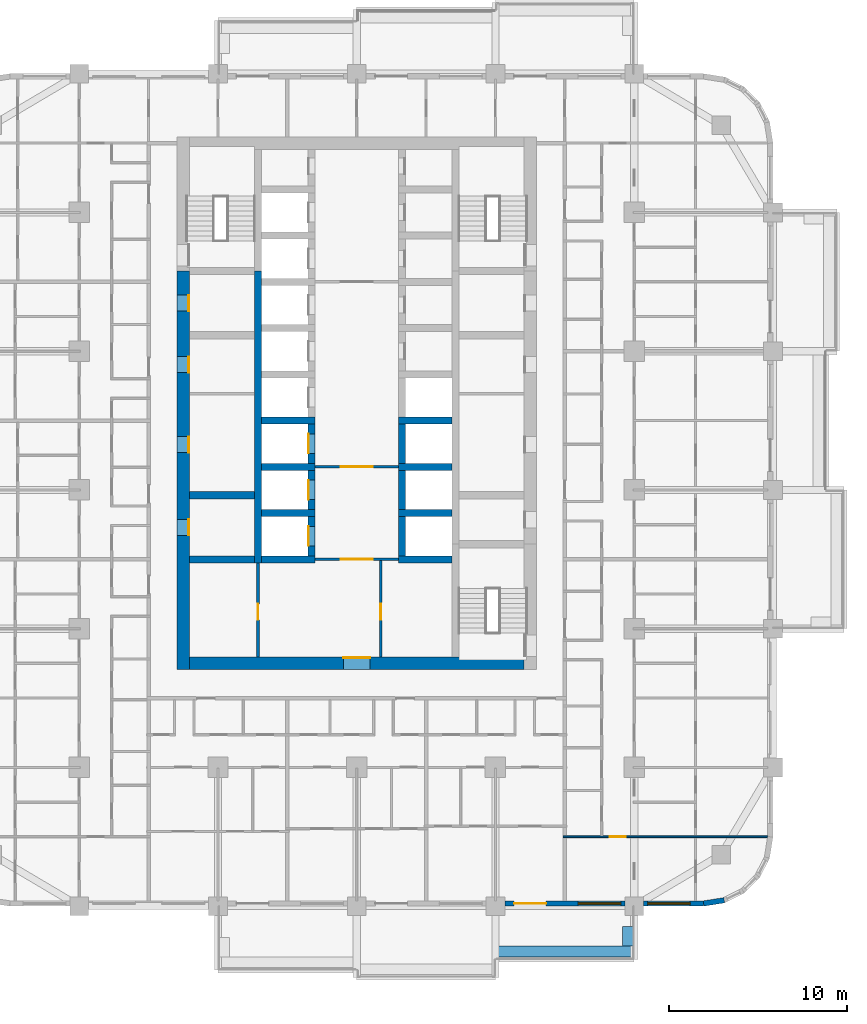
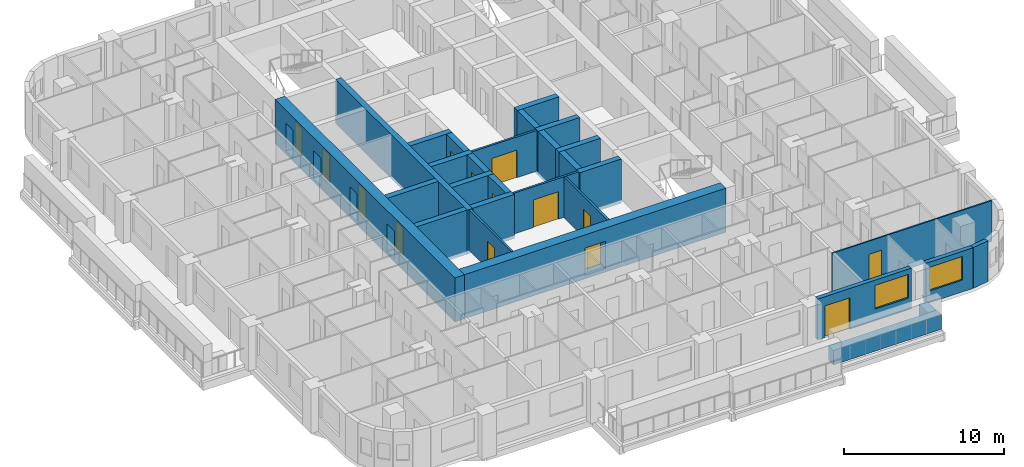
# One storey, part 6 of 17: 29 walls, 14 doors, 2 windows, 16 openings.
"""IFC4 building model written with IfcOpenShell, lengths in metres."""

from ifc_helpers import new_model, si_unit, direction, frame, frame_2d, origin, place, context, subcontext, project, spatial, rectangle, extrude, material, layer, layer_set, type_object, element, fill, save


model = new_model("IFC4")

# Units and contexts
model_context = context("Model", 3, precision=1e-05, world=origin(), true_north=direction((0.0, 1.0)))
body_context = subcontext(model_context, "Body", "Model", "MODEL_VIEW")
ifc_project = project(units=[si_unit("LENGTHUNIT", "METRE"), si_unit("AREAUNIT", "SQUARE_METRE"), si_unit("VOLUMEUNIT", "CUBIC_METRE"), si_unit("PLANEANGLEUNIT", "RADIAN"), si_unit("MASSUNIT", "GRAM", prefix="KILO")], contexts=[model_context])

# Site, building, storey
site_placement = place(None, origin())
site = spatial("IfcSite", under=ifc_project, at=site_placement, CompositionType="ELEMENT")
building_placement = place(site_placement, origin())
building = spatial("IfcBuilding", under=site, at=building_placement, Name="Ludao Terraces", CompositionType="ELEMENT")
storey_placement = place(building_placement, frame((0.0, 0.0, 43.300048828125)))
storey = spatial("IfcBuildingStorey", under=building, at=storey_placement, Name="L11", CompositionType="ELEMENT", Elevation=43.300048828125)

# Wall, openings, doors
ifc_material_1 = material(Name="Concrete C70", Category="concrete")
ifc_layer_1 = layer(ifc_material_1, 0.699951171875)
ifc_layer_set_1 = layer_set([ifc_layer_1], Name="Core wall 700 C70")
wall_type_1 = type_object("IfcWallType", Name="Core wall 700 C70", PredefinedType="SOLIDWALL", material=ifc_layer_set_1)
wall_1_placement = place(storey_placement, frame((75.25, 54.89990234375, -0.25), z_axis=(0.0, 0.0, 1.0), x_axis=(0.0, 1.0, 0.0)))
wall_1 = element("IfcWall", 1, at=wall_1_placement, inside=storey, type_object=wall_type_1, Name="Core wall L11 outer-W", PredefinedType="SOLIDWALL", context=body_context, shape_type="SweptSolid", body=[
    extrude(rectangle(XDim=22.400146484375, YDim=0.699951171875, at=frame_2d((11.2001953125, 0.0))), origin(), (0.0, 0.0, 1.0), 3.349853515625),
])
opening_1_placement = place(wall_1_placement, frame((7.550048828125, 0.0, 0.25)))
opening_1 = element("IfcOpeningElement", 2, at=opening_1_placement, cuts=wall_1, Name="Opening R03-079", PredefinedType="OPENING", context=body_context, shape_type="SweptSolid", body=[
    extrude(rectangle(XDim=0.89990234375, YDim=2.10009765625, at=frame_2d((0.449951171875, 1.050048828125))), frame((0.0, 0.35986328125, 0.0), z_axis=(0.0, -1.0, 0.0), x_axis=(1.0, 0.0, 0.0)), (0.0, 0.0, 1.0), 0.719970703125),
])
opening_2_placement = place(wall_1_placement, frame((12.199951171875, 0.0, 0.25)))
opening_2 = element("IfcOpeningElement", 3, at=opening_2_placement, cuts=wall_1, Name="Opening R03-094", PredefinedType="OPENING", context=body_context, shape_type="SweptSolid", body=[
    extrude(rectangle(XDim=0.89990234375, YDim=2.10009765625, at=frame_2d((0.449951171875, 1.050048828125))), frame((0.0, 0.35986328125, 0.0), z_axis=(0.0, -1.0, 0.0), x_axis=(1.0, 0.0, 0.0)), (0.0, 0.0, 1.0), 0.719970703125),
])
opening_3_placement = place(wall_1_placement, frame((16.699951171875, 0.0, 0.25)))
opening_3 = element("IfcOpeningElement", 4, at=opening_3_placement, cuts=wall_1, Name="Opening R03-109", PredefinedType="OPENING", context=body_context, shape_type="SweptSolid", body=[
    extrude(rectangle(XDim=0.89990234375, YDim=2.10009765625, at=frame_2d((0.449951171875, 1.050048828125))), frame((0.0, 0.35986328125, 0.0), z_axis=(0.0, -1.0, 0.0), x_axis=(1.0, 0.0, 0.0)), (0.0, 0.0, 1.0), 0.719970703125),
])
opening_4_placement = place(wall_1_placement, frame((20.14990234375, 0.0, 0.25)))
opening_4 = element("IfcOpeningElement", 5, at=opening_4_placement, cuts=wall_1, Name="Opening R03-120", PredefinedType="OPENING", context=body_context, shape_type="SweptSolid", body=[
    extrude(rectangle(XDim=0.89990234375, YDim=2.10009765625, at=frame_2d((0.449951171875, 1.050048828125))), frame((0.0, 0.35986328125, 0.0), z_axis=(0.0, -1.0, 0.0), x_axis=(1.0, 0.0, 0.0)), (0.0, 0.0, 1.0), 0.719970703125),
])
ifc_material_2 = material(Name="Steel Q235", Category="steel")
door_type_1 = type_object("IfcDoorType", Name="INT Riser door 900", OperationType="SINGLE_SWING_LEFT", PredefinedType="DOOR", material=ifc_material_2)
door_1_placement = place(opening_1_placement, origin())
door_1 = element("IfcDoor", 6, at=door_1_placement, inside=storey, type_object=door_type_1, Name="DOOR 079", OperationType="SINGLE_SWING_LEFT", OverallHeight=2.10009765625, OverallWidth=0.89990234375, PredefinedType="DOOR", context=body_context, shape_type="SweptSolid", body=[
    extrude(rectangle(XDim=0.89990234375, YDim=2.10009765625, at=frame_2d((0.449951171875, 1.050048828125))), frame((0.0, -0.28515625, 0.0), z_axis=(0.0, -1.0, 0.0), x_axis=(1.0, 0.0, 0.0)), (0.0, 0.0, 1.0), 0.050048828125),
])
fill(opening_1, door_1)
door_2_placement = place(opening_4_placement, origin())
door_2 = element("IfcDoor", 7, at=door_2_placement, inside=storey, type_object=door_type_1, Name="DOOR 120", OperationType="SINGLE_SWING_RIGHT", OverallHeight=2.10009765625, OverallWidth=0.89990234375, PredefinedType="DOOR", context=body_context, shape_type="SweptSolid", body=[
    extrude(rectangle(XDim=0.89990234375, YDim=2.10009765625, at=frame_2d((0.449951171875, 1.050048828125))), frame((0.0, -0.28515625, 0.0), z_axis=(0.0, -1.0, 0.0), x_axis=(1.0, 0.0, 0.0)), (0.0, 0.0, 1.0), 0.050048828125),
])
fill(opening_4, door_2)
ifc_material_3 = material(Name="Timber door leaf", Category="wood")
door_type_2 = type_object("IfcDoorType", Name="INT Room door 900", OperationType="SINGLE_SWING_LEFT", PredefinedType="DOOR", material=ifc_material_3)
door_3_placement = place(opening_2_placement, origin())
door_3 = element("IfcDoor", 8, at=door_3_placement, inside=storey, type_object=door_type_2, Name="DOOR 094", OperationType="SINGLE_SWING_RIGHT", OverallHeight=2.10009765625, OverallWidth=0.89990234375, PredefinedType="DOOR", context=body_context, shape_type="SweptSolid", body=[
    extrude(rectangle(XDim=0.89990234375, YDim=2.10009765625, at=frame_2d((0.449951171875, 1.050048828125))), frame((0.0, -0.28515625, 0.0), z_axis=(0.0, -1.0, 0.0), x_axis=(1.0, 0.0, 0.0)), (0.0, 0.0, 1.0), 0.050048828125),
])
fill(opening_2, door_3)
door_4_placement = place(opening_3_placement, origin())
door_4 = element("IfcDoor", 9, at=door_4_placement, inside=storey, type_object=door_type_2, Name="DOOR 109", OperationType="SINGLE_SWING_LEFT", OverallHeight=2.10009765625, OverallWidth=0.89990234375, PredefinedType="DOOR", context=body_context, shape_type="SweptSolid", body=[
    extrude(rectangle(XDim=0.89990234375, YDim=2.10009765625, at=frame_2d((0.449951171875, 1.050048828125))), frame((0.0, -0.28515625, 0.0), z_axis=(0.0, -1.0, 0.0), x_axis=(1.0, 0.0, 0.0)), (0.0, 0.0, 1.0), 0.050048828125),
])
fill(opening_3, door_4)

# Wall, opening, door
wall_2_placement = place(storey_placement, frame((75.60009765625, 55.25, -0.25), z_axis=(0.0, 0.0, 1.0), x_axis=(1.0, 0.0, 0.0)))
wall_2 = element("IfcWall", 10, at=wall_2_placement, inside=storey, type_object=wall_type_1, Name="Core wall L11 outer-S", PredefinedType="SOLIDWALL", context=body_context, shape_type="SweptSolid", body=[
    extrude(rectangle(XDim=18.7998046875, YDim=0.699951171875, at=frame_2d((9.39990234375, 0.0))), origin(), (0.0, 0.0, 1.0), 3.349853515625),
])
opening_5_placement = place(wall_2_placement, frame((8.64990234375, 0.0, 0.25)))
opening_5 = element("IfcOpeningElement", 11, at=opening_5_placement, cuts=wall_2, Name="Opening R03-054", PredefinedType="OPENING", context=body_context, shape_type="SweptSolid", body=[
    extrude(rectangle(XDim=1.5, YDim=2.10009765625, at=frame_2d((0.75, 1.050048828125))), frame((0.0, 0.35986328125, 0.0), z_axis=(0.0, -1.0, 0.0), x_axis=(1.0, 0.0, 0.0)), (0.0, 0.0, 1.0), 0.719970703125),
])
door_type_3 = type_object("IfcDoorType", Name="INT Lobby door 1500", OperationType="DOUBLE_DOOR_SINGLE_SWING", PredefinedType="DOOR", material=ifc_material_2)
door_5_placement = place(opening_5_placement, origin())
door_5 = element("IfcDoor", 12, at=door_5_placement, inside=storey, type_object=door_type_3, Name="DOOR 054", OperationType="DOUBLE_DOOR_SINGLE_SWING", OverallHeight=2.10009765625, OverallWidth=1.5, PredefinedType="DOOR", context=body_context, shape_type="SweptSolid", body=[
    extrude(rectangle(XDim=1.5, YDim=2.10009765625, at=frame_2d((0.75, 1.050048828125))), frame((0.0, 0.3349609375, 0.0), z_axis=(0.0, -1.0, 0.0), x_axis=(1.0, 0.0, 0.0)), (0.0, 0.0, 1.0), 0.050048828125),
])
fill(opening_5, door_5)

# Walls
ifc_material_4 = material(Name="Concrete C40", Category="concrete")
ifc_layer_2 = layer(ifc_material_4, 0.60009765625)
ifc_layer_set_2 = layer_set([ifc_layer_2], Name="ENV Planter trough 600")
wall_type_2 = type_object("IfcWallType", Name="ENV Planter trough 600", PredefinedType="USERDEFINED", material=ifc_layer_set_2)
wall_3_placement = place(storey_placement, frame((92.800048828125, 39.050048828125, 0.0), z_axis=(0.0, 0.0, 1.0), x_axis=(1.0, 0.0, 0.0)))
element("IfcWall", 13, at=wall_3_placement, inside=storey, type_object=wall_type_2, Name="PL-L11-S4", ObjectType="PLANTER", PredefinedType="USERDEFINED", context=body_context, shape_type="SweptSolid", body=[
    extrude(rectangle(XDim=7.800048828125, YDim=0.60009765625, at=frame_2d((3.89990234375, 0.0))), origin(), (0.0, 0.0, 1.0), 1.099853515625),
])
wall_4_placement = place(storey_placement, frame((100.25, 39.35009765625, 0.0), z_axis=(0.0, 0.0, 1.0), x_axis=(0.0, 1.0, 0.0)))
element("IfcWall", 14, at=wall_4_placement, inside=storey, type_object=wall_type_2, Name="PL-L11-S4-SB", ObjectType="PLANTER", PredefinedType="USERDEFINED", context=body_context, shape_type="SweptSolid", body=[
    extrude(rectangle(XDim=1.099853515625, YDim=0.60009765625, at=frame_2d((0.5498046875, 0.0))), origin(), (0.0, 0.0, 1.0), 1.099853515625),
])

# Wall, openings, door, window
ifc_material_5 = material(Name="Granite cladding", Category="masonry")
ifc_layer_3 = layer(ifc_material_5, 0.0400390625, Category="stone")
ifc_material_6 = material(Name="Mineral wool")
ifc_layer_4 = layer(ifc_material_6, 0.06005859375)
ifc_layer_5 = layer(ifc_material_4, 0.199951171875, Category="concrete")
ifc_layer_set_3 = layer_set([ifc_layer_3, ifc_layer_4, ifc_layer_5], Name="ENV Stone-clad wall 300")
wall_type_3 = type_object("IfcWallType", Name="ENV Stone-clad wall 300", PredefinedType="SOLIDWALL", material=ifc_layer_set_3)
wall_5_placement = place(storey_placement, frame((93.324951171875, 41.75, 0.0), z_axis=(0.0, 0.0, 1.0), x_axis=(1.0, 0.0, 0.0)))
wall_5 = element("IfcWall", 15, at=wall_5_placement, inside=storey, type_object=wall_type_3, Name="EW-L11-S5", PredefinedType="SOLIDWALL", context=body_context, shape_type="SweptSolid", body=[
    extrude(rectangle(XDim=6.75, YDim=0.300048828125, at=frame_2d((3.375, 0.0))), origin(), (0.0, 0.0, 1.0), 3.099853515625),
])
opening_6_placement = place(wall_5_placement, frame((0.52490234375, 0.0, 0.0)))
opening_6 = element("IfcOpeningElement", 16, at=opening_6_placement, cuts=wall_5, Name="Opening BD", PredefinedType="OPENING", context=body_context, shape_type="SweptSolid", body=[
    extrude(rectangle(XDim=1.800048828125, YDim=2.39990234375, at=frame_2d((0.89990234375, 1.199951171875))), frame((0.0, 0.16015625, 0.0), z_axis=(0.0, -1.0, 0.0), x_axis=(1.0, 0.0, 0.0)), (0.0, 0.0, 1.0), 0.320068359375),
])
opening_7_placement = place(wall_5_placement, frame((4.125, 0.0, 0.89990234375)))
opening_7 = element("IfcOpeningElement", 17, at=opening_7_placement, cuts=wall_5, Name="Opening W1", PredefinedType="OPENING", context=body_context, shape_type="SweptSolid", body=[
    extrude(rectangle(XDim=2.39990234375, YDim=1.800048828125, at=frame_2d((1.199951171875, 0.89990234375))), frame((0.0, 0.16015625, 0.0), z_axis=(0.0, -1.0, 0.0), x_axis=(1.0, 0.0, 0.0)), (0.0, 0.0, 1.0), 0.320068359375),
])
ifc_material_7 = material(Name="Aluminium glazed door", Category="aluminium")
ifc_layer_6 = layer(ifc_material_7, 0.06005859375)
ifc_layer_set_4 = layer_set([ifc_layer_6], Name="ENV Balcony door BD 1800x2400")
door_type_4 = type_object("IfcDoorType", Name="ENV Balcony door BD 1800x2400", OperationType="DOUBLE_DOOR_SINGLE_SWING", PredefinedType="DOOR", material=ifc_layer_set_4)
door_6_placement = place(opening_6_placement, origin())
door_6 = element("IfcDoor", 18, at=door_6_placement, inside=storey, type_object=door_type_4, Name="BD-L11-S5-1", OperationType="DOUBLE_DOOR_SINGLE_SWING", OverallHeight=2.39990234375, OverallWidth=1.800048828125, PredefinedType="DOOR", context=body_context, shape_type="SweptSolid", body=[
    extrude(rectangle(XDim=1.800048828125, YDim=2.39990234375, at=frame_2d((0.89990234375, 1.199951171875))), frame((0.0, 0.02490234375, 0.0), z_axis=(0.0, -1.0, 0.0), x_axis=(1.0, 0.0, 0.0)), (0.0, 0.0, 1.0), 0.050048828125),
])
fill(opening_6, door_6)
ifc_material_8 = material(Name="Clear glass in aluminium frame", Category="aluminium")
ifc_layer_7 = layer(ifc_material_8, 0.06005859375)
ifc_layer_set_5 = layer_set([ifc_layer_7], Name="ENV Window W1 2400x1800")
window_type = type_object("IfcWindowType", Name="ENV Window W1 2400x1800", PartitioningType="DOUBLE_PANEL_VERTICAL", PredefinedType="WINDOW", material=ifc_layer_set_5)
window_1_placement = place(opening_7_placement, origin())
window_1 = element("IfcWindow", 19, at=window_1_placement, inside=storey, type_object=window_type, Name="W-L11-S5-2", OverallHeight=1.800048828125, OverallWidth=2.39990234375, PartitioningType="DOUBLE_PANEL_VERTICAL", PredefinedType="WINDOW", context=body_context, shape_type="SweptSolid", body=[
    extrude(rectangle(XDim=2.39990234375, YDim=1.800048828125, at=frame_2d((1.199951171875, 0.89990234375))), frame((0.0, 0.030029296875, 0.0), z_axis=(0.0, -1.0, 0.0), x_axis=(1.0, 0.0, 0.0)), (0.0, 0.0, 1.0), 0.06005859375),
])
fill(opening_7, window_1)

# Wall, opening, window
wall_6_placement = place(storey_placement, frame((101.125, 41.75, 0.0), z_axis=(0.0, 0.0, 1.0), x_axis=(1.0, 0.0, 0.0)))
wall_6 = element("IfcWall", 20, at=wall_6_placement, inside=storey, type_object=wall_type_3, Name="EW-L11-S6", PredefinedType="SOLIDWALL", context=body_context, shape_type="SweptSolid", body=[
    extrude(rectangle(XDim=3.375, YDim=0.300048828125, at=frame_2d((1.6875, 0.0))), origin(), (0.0, 0.0, 1.0), 3.099853515625),
])
opening_8_placement = place(wall_6_placement, frame((0.22509765625, 0.0, 0.89990234375)))
opening_8 = element("IfcOpeningElement", 21, at=opening_8_placement, cuts=wall_6, Name="Opening W1", PredefinedType="OPENING", context=body_context, shape_type="SweptSolid", body=[
    extrude(rectangle(XDim=2.39990234375, YDim=1.800048828125, at=frame_2d((1.199951171875, 0.89990234375))), frame((0.0, 0.16015625, 0.0), z_axis=(0.0, -1.0, 0.0), x_axis=(1.0, 0.0, 0.0)), (0.0, 0.0, 1.0), 0.320068359375),
])
window_2_placement = place(opening_8_placement, origin())
window_2 = element("IfcWindow", 22, at=window_2_placement, inside=storey, type_object=window_type, Name="W-L11-S6-1", OverallHeight=1.800048828125, OverallWidth=2.39990234375, PartitioningType="DOUBLE_PANEL_VERTICAL", PredefinedType="WINDOW", context=body_context, shape_type="SweptSolid", body=[
    extrude(rectangle(XDim=2.39990234375, YDim=1.800048828125, at=frame_2d((1.199951171875, 0.89990234375))), frame((0.0, 0.030029296875, 0.0), z_axis=(0.0, -1.0, 0.0), x_axis=(1.0, 0.0, 0.0)), (0.0, 0.0, 1.0), 0.06005859375),
])
fill(opening_8, window_2)

# Wall
wall_7_placement = place(storey_placement, frame((104.5, 41.75, 0.0), z_axis=(0.0, 0.0, 1.0), x_axis=(0.987678452879, 0.156496880861, 0.0)))
element("IfcWall", 23, at=wall_7_placement, inside=storey, type_object=wall_type_3, Name="EW-L11-SE1", PredefinedType="SOLIDWALL", context=body_context, shape_type="SweptSolid", body=[
    extrude(rectangle(XDim=1.173095703125, YDim=0.300048828125, at=frame_2d((0.58642578125, 0.0))), origin(), (0.0, 0.0, 1.0), 3.099853515625),
])

# Wall, opening, door
ifc_material_9 = material(Name="Fire-rated gypsum plasterboard", Category="gypsum")
ifc_layer_8 = layer(ifc_material_9, 0.012451171875, Category="gypsum")
ifc_layer_9 = layer(ifc_material_6, 0.10009765625, Name="insulation")
ifc_layer_10 = layer(ifc_material_2, 0.02490234375, Name="stud")
ifc_layer_11 = layer(ifc_material_9, 0.012451171875, Category="gypsum")
ifc_layer_set_6 = layer_set([ifc_layer_8, ifc_layer_9, ifc_layer_10, ifc_layer_11], Name="INT Core partition 150")
wall_type_4 = type_object("IfcWallType", Name="INT Core partition 150", PredefinedType="PARTITIONING", material=ifc_layer_set_6)
wall_8_placement = place(storey_placement, frame((82.650146484375, 61.10009765625, 0.0), z_axis=(0.0, 0.0, 1.0), x_axis=(1.0, 0.0, 0.0)))
wall_8 = element("IfcWall", 24, at=wall_8_placement, inside=storey, type_object=wall_type_4, Name="PW-L11-PW036", PredefinedType="PARTITIONING", context=body_context, shape_type="SweptSolid", body=[
    extrude(rectangle(XDim=4.699951171875, YDim=0.14990234375, at=frame_2d((2.35009765625, 0.0))), origin(), (0.0, 0.0, 1.0), 3.099853515625),
])
opening_9_placement = place(wall_8_placement, frame((1.449951171875, 0.0, 0.0)))
opening_9 = element("IfcOpeningElement", 25, at=opening_9_placement, cuts=wall_8, Name="Opening R03-074", PredefinedType="OPENING", context=body_context, shape_type="SweptSolid", body=[
    extrude(rectangle(XDim=1.800048828125, YDim=2.10009765625, at=frame_2d((0.89990234375, 1.050048828125))), frame((0.0, 0.0849609375, 0.0), z_axis=(0.0, -1.0, 0.0), x_axis=(1.0, 0.0, 0.0)), (0.0, 0.0, 1.0), 0.169921875),
])
door_type_5 = type_object("IfcDoorType", Name="INT Fire lobby door 1800", OperationType="DOUBLE_DOOR_SINGLE_SWING", PredefinedType="DOOR", material=ifc_material_2)
door_7_placement = place(opening_9_placement, origin())
door_7 = element("IfcDoor", 26, at=door_7_placement, inside=storey, type_object=door_type_5, Name="DOOR 074", OperationType="DOUBLE_DOOR_SINGLE_SWING", OverallHeight=2.10009765625, OverallWidth=1.800048828125, PredefinedType="DOOR", context=body_context, shape_type="SweptSolid", body=[
    extrude(rectangle(XDim=1.800048828125, YDim=2.10009765625, at=frame_2d((0.89990234375, 1.050048828125))), frame((0.0, 0.02490234375, 0.0), z_axis=(0.0, -1.0, 0.0), x_axis=(1.0, 0.0, 0.0)), (0.0, 0.0, 1.0), 0.050048828125),
])
fill(opening_9, door_7)

wall_9_placement = place(storey_placement, frame((82.650146484375, 66.300048828125, 0.0), z_axis=(0.0, 0.0, 1.0), x_axis=(1.0, 0.0, 0.0)))
wall_9 = element("IfcWall", 27, at=wall_9_placement, inside=storey, type_object=wall_type_4, Name="PW-L11-PW046", PredefinedType="PARTITIONING", context=body_context, shape_type="SweptSolid", body=[
    extrude(rectangle(XDim=4.699951171875, YDim=0.14990234375, at=frame_2d((2.35009765625, 0.0))), origin(), (0.0, 0.0, 1.0), 3.099853515625),
])
opening_10_placement = place(wall_9_placement, frame((1.449951171875, 0.0, 0.0)))
opening_10 = element("IfcOpeningElement", 28, at=opening_10_placement, cuts=wall_9, Name="Opening R03-091", PredefinedType="OPENING", context=body_context, shape_type="SweptSolid", body=[
    extrude(rectangle(XDim=1.800048828125, YDim=2.10009765625, at=frame_2d((0.89990234375, 1.050048828125))), frame((0.0, 0.0849609375, 0.0), z_axis=(0.0, -1.0, 0.0), x_axis=(1.0, 0.0, 0.0)), (0.0, 0.0, 1.0), 0.169921875),
])
door_8_placement = place(opening_10_placement, origin())
door_8 = element("IfcDoor", 29, at=door_8_placement, inside=storey, type_object=door_type_5, Name="DOOR 091", OperationType="DOUBLE_DOOR_SINGLE_SWING", OverallHeight=2.10009765625, OverallWidth=1.800048828125, PredefinedType="DOOR", context=body_context, shape_type="SweptSolid", body=[
    extrude(rectangle(XDim=1.800048828125, YDim=2.10009765625, at=frame_2d((0.89990234375, 1.050048828125))), frame((0.0, 0.02490234375, 0.0), z_axis=(0.0, -1.0, 0.0), x_axis=(1.0, 0.0, 0.0)), (0.0, 0.0, 1.0), 0.050048828125),
])
fill(opening_10, door_8)

wall_10_placement = place(storey_placement, frame((79.449951171875, 55.60009765625, 0.0), z_axis=(0.0, 0.0, 1.0), x_axis=(0.0, 1.0, 0.0)))
wall_10 = element("IfcWall", 30, at=wall_10_placement, inside=storey, type_object=wall_type_4, Name="PW-L11-PW098", PredefinedType="PARTITIONING", context=body_context, shape_type="SweptSolid", body=[
    extrude(rectangle(XDim=5.300048828125, YDim=0.14990234375, at=frame_2d((2.64990234375, 0.0))), origin(), (0.0, 0.0, 1.0), 3.099853515625),
])
opening_11_placement = place(wall_10_placement, frame((2.10009765625, 0.0, 0.0)))
opening_11 = element("IfcOpeningElement", 31, at=opening_11_placement, cuts=wall_10, Name="Opening R03-063", PredefinedType="OPENING", context=body_context, shape_type="SweptSolid", body=[
    extrude(rectangle(XDim=0.89990234375, YDim=2.10009765625, at=frame_2d((0.449951171875, 1.050048828125))), frame((0.0, 0.0849609375, 0.0), z_axis=(0.0, -1.0, 0.0), x_axis=(1.0, 0.0, 0.0)), (0.0, 0.0, 1.0), 0.169921875),
])
door_9_placement = place(opening_11_placement, origin())
door_9 = element("IfcDoor", 32, at=door_9_placement, inside=storey, type_object=door_type_2, Name="DOOR 063", OperationType="SINGLE_SWING_LEFT", OverallHeight=2.10009765625, OverallWidth=0.89990234375, PredefinedType="DOOR", context=body_context, shape_type="SweptSolid", body=[
    extrude(rectangle(XDim=0.89990234375, YDim=2.10009765625, at=frame_2d((0.449951171875, 1.050048828125))), frame((0.0, 0.02490234375, 0.0), z_axis=(0.0, -1.0, 0.0), x_axis=(1.0, 0.0, 0.0)), (0.0, 0.0, 1.0), 0.050048828125),
])
fill(opening_11, door_9)

wall_11_placement = place(storey_placement, frame((86.35009765625, 55.60009765625, 0.0), z_axis=(0.0, 0.0, 1.0), x_axis=(0.0, 1.0, 0.0)))
wall_11 = element("IfcWall", 33, at=wall_11_placement, inside=storey, type_object=wall_type_4, Name="PW-L11-PW105", PredefinedType="PARTITIONING", context=body_context, shape_type="SweptSolid", body=[
    extrude(rectangle(XDim=5.425048828125, YDim=0.14990234375, at=frame_2d((2.71240234375, 0.0))), origin(), (0.0, 0.0, 1.0), 3.099853515625),
])
opening_12_placement = place(wall_11_placement, frame((2.10009765625, 0.0, 0.0)))
opening_12 = element("IfcOpeningElement", 34, at=opening_12_placement, cuts=wall_11, Name="Opening R03-064", PredefinedType="OPENING", context=body_context, shape_type="SweptSolid", body=[
    extrude(rectangle(XDim=0.89990234375, YDim=2.10009765625, at=frame_2d((0.449951171875, 1.050048828125))), frame((0.0, 0.0849609375, 0.0), z_axis=(0.0, -1.0, 0.0), x_axis=(1.0, 0.0, 0.0)), (0.0, 0.0, 1.0), 0.169921875),
])
door_10_placement = place(opening_12_placement, origin())
door_10 = element("IfcDoor", 35, at=door_10_placement, inside=storey, type_object=door_type_2, Name="DOOR 064", OperationType="SINGLE_SWING_RIGHT", OverallHeight=2.10009765625, OverallWidth=0.89990234375, PredefinedType="DOOR", context=body_context, shape_type="SweptSolid", body=[
    extrude(rectangle(XDim=0.89990234375, YDim=2.10009765625, at=frame_2d((0.449951171875, 1.050048828125))), frame((0.0, 0.02490234375, 0.0), z_axis=(0.0, -1.0, 0.0), x_axis=(1.0, 0.0, 0.0)), (0.0, 0.0, 1.0), 0.050048828125),
])
fill(opening_12, door_10)

ifc_material_10 = material(Name="Gypsum plasterboard", Category="gypsum")
ifc_layer_12 = layer(ifc_material_10, 0.012451171875, Category="gypsum")
ifc_layer_13 = layer(ifc_material_6, 0.06005859375, Name="insulation")
ifc_layer_14 = layer(ifc_material_2, 0.014892578125, Name="stud")
ifc_layer_15 = layer(ifc_material_10, 0.012451171875, Category="gypsum")
ifc_layer_set_7 = layer_set([ifc_layer_12, ifc_layer_13, ifc_layer_14, ifc_layer_15], Name="INT Partition 100")
wall_type_5 = type_object("IfcWallType", Name="INT Partition 100", PredefinedType="PARTITIONING", material=ifc_layer_set_7)
wall_12_placement = place(storey_placement, frame((96.60009765625, 45.5, 0.0), z_axis=(0.0, 0.0, 1.0), x_axis=(1.0, 0.0, 0.0)))
wall_12 = element("IfcWall", 36, at=wall_12_placement, inside=storey, type_object=wall_type_5, Name="PW-L11-PW001", PredefinedType="PARTITIONING", context=body_context, shape_type="SweptSolid", body=[
    extrude(rectangle(XDim=11.5, YDim=0.10009765625, at=frame_2d((5.75, 0.0))), origin(), (0.0, 0.0, 1.0), 3.099853515625),
])
opening_13_placement = place(wall_12_placement, frame((2.635009765625, 0.0, 0.0)))
opening_13 = element("IfcOpeningElement", 37, at=opening_13_placement, cuts=wall_12, Name="Opening R03-006", PredefinedType="OPENING", context=body_context, shape_type="SweptSolid", body=[
    extrude(rectangle(XDim=0.89990234375, YDim=2.10009765625, at=frame_2d((0.449951171875, 1.050048828125))), frame((0.0, 0.06005859375, 0.0), z_axis=(0.0, -1.0, 0.0), x_axis=(1.0, 0.0, 0.0)), (0.0, 0.0, 1.0), 0.1201171875),
])
door_11_placement = place(opening_13_placement, origin())
door_11 = element("IfcDoor", 38, at=door_11_placement, inside=storey, type_object=door_type_2, Name="DOOR 006", OperationType="SINGLE_SWING_LEFT", OverallHeight=2.10009765625, OverallWidth=0.89990234375, PredefinedType="DOOR", context=body_context, shape_type="SweptSolid", body=[
    extrude(rectangle(XDim=0.89990234375, YDim=2.10009765625, at=frame_2d((0.449951171875, 1.050048828125))), frame((0.0, 0.02490234375, 0.0), z_axis=(0.0, -1.0, 0.0), x_axis=(1.0, 0.0, 0.0)), (0.0, 0.0, 1.0), 0.050048828125),
])
fill(opening_13, door_11)

# Walls
ifc_material_11 = material(Name="Concrete C60", Category="concrete")
ifc_layer_16 = layer(ifc_material_11, 0.39990234375)
ifc_layer_set_8 = layer_set([ifc_layer_16], Name="Shaft wall 400 C60")
wall_type_6 = type_object("IfcWallType", Name="Shaft wall 400 C60", PredefinedType="SOLIDWALL", material=ifc_layer_set_8)
wall_13_placement = place(storey_placement, frame((79.449951171875, 60.89990234375, -0.25), z_axis=(0.0, 0.0, 1.0), x_axis=(0.0, 1.0, 0.0)))
element("IfcWall", 39, at=wall_13_placement, inside=storey, type_object=wall_type_6, Name="Core wall L11 back-W", PredefinedType="SOLIDWALL", context=body_context, shape_type="SweptSolid", body=[
    extrude(rectangle(XDim=16.400146484375, YDim=0.39990234375, at=frame_2d((8.2001953125, 0.0))), origin(), (0.0, 0.0, 1.0), 3.349853515625),
])
wall_14_placement = place(storey_placement, frame((79.64990234375, 61.10009765625, -0.25), z_axis=(0.0, 0.0, 1.0), x_axis=(1.0, 0.0, 0.0)))
element("IfcWall", 40, at=wall_14_placement, inside=storey, type_object=wall_type_6, Name="Core wall L11 div-W1", PredefinedType="SOLIDWALL", context=body_context, shape_type="SweptSolid", body=[
    extrude(rectangle(XDim=3.0, YDim=0.39990234375, at=frame_2d((1.5, 0.0))), origin(), (0.0, 0.0, 1.0), 3.349853515625),
])

# Wall, opening, door
wall_15_placement = place(storey_placement, frame((82.449951171875, 61.300048828125, -0.25), z_axis=(0.0, 0.0, 1.0), x_axis=(0.0, 1.0, 0.0)))
wall_15 = element("IfcWall", 41, at=wall_15_placement, inside=storey, type_object=wall_type_6, Name="Core wall L11 front-W1", PredefinedType="SOLIDWALL", context=body_context, shape_type="SweptSolid", body=[
    extrude(rectangle(XDim=2.199951171875, YDim=0.39990234375, at=frame_2d((1.10009765625, 0.0))), origin(), (0.0, 0.0, 1.0), 3.349853515625),
])
opening_14_placement = place(wall_15_placement, frame((0.550048828125, 0.0, 0.25)))
opening_14 = element("IfcOpeningElement", 42, at=opening_14_placement, cuts=wall_15, Name="Opening LD-LA1", PredefinedType="OPENING", context=body_context, shape_type="SweptSolid", body=[
    extrude(rectangle(XDim=1.10009765625, YDim=2.10009765625, at=frame_2d((0.550048828125, 1.050048828125))), frame((0.0, 0.2099609375, 0.0), z_axis=(0.0, -1.0, 0.0), x_axis=(1.0, 0.0, 0.0)), (0.0, 0.0, 1.0), 0.419921875),
])
ifc_material_12 = material(Name="Stainless steel 304", Category="steel")
door_type_6 = type_object("IfcDoorType", Name="INT Lift landing door 1100", OperationType="SLIDING_TO_LEFT", PredefinedType="DOOR", material=ifc_material_12)
door_12_placement = place(opening_14_placement, origin())
door_12 = element("IfcDoor", 43, at=door_12_placement, inside=storey, type_object=door_type_6, Name="LANDING DOOR LA1 L11", OperationType="SLIDING_TO_RIGHT", OverallHeight=2.10009765625, OverallWidth=1.10009765625, PredefinedType="DOOR", context=body_context, shape_type="SweptSolid", body=[
    extrude(rectangle(XDim=1.10009765625, YDim=2.10009765625, at=frame_2d((0.550048828125, 1.050048828125))), frame((0.0, 0.18505859375, 0.0), z_axis=(0.0, -1.0, 0.0), x_axis=(1.0, 0.0, 0.0)), (0.0, 0.0, 1.0), 0.050048828125),
])
fill(opening_14, door_12)

# Wall
wall_16_placement = place(storey_placement, frame((79.64990234375, 63.699951171875, -0.25), z_axis=(0.0, 0.0, 1.0), x_axis=(1.0, 0.0, 0.0)))
element("IfcWall", 44, at=wall_16_placement, inside=storey, type_object=wall_type_6, Name="Core wall L11 div-W2", PredefinedType="SOLIDWALL", context=body_context, shape_type="SweptSolid", body=[
    extrude(rectangle(XDim=3.0, YDim=0.39990234375, at=frame_2d((1.5, 0.0))), origin(), (0.0, 0.0, 1.0), 3.349853515625),
])

# Wall, opening, door
wall_17_placement = place(storey_placement, frame((82.449951171875, 63.89990234375, -0.25), z_axis=(0.0, 0.0, 1.0), x_axis=(0.0, 1.0, 0.0)))
wall_17 = element("IfcWall", 45, at=wall_17_placement, inside=storey, type_object=wall_type_6, Name="Core wall L11 front-W2", PredefinedType="SOLIDWALL", context=body_context, shape_type="SweptSolid", body=[
    extrude(rectangle(XDim=2.2001953125, YDim=0.39990234375, at=frame_2d((1.10009765625, 0.0))), origin(), (0.0, 0.0, 1.0), 3.349853515625),
])
opening_15_placement = place(wall_17_placement, frame((0.550048828125, 0.0, 0.25)))
opening_15 = element("IfcOpeningElement", 46, at=opening_15_placement, cuts=wall_17, Name="Opening LD-LA2", PredefinedType="OPENING", context=body_context, shape_type="SweptSolid", body=[
    extrude(rectangle(XDim=1.10009765625, YDim=2.10009765625, at=frame_2d((0.550048828125, 1.050048828125))), frame((0.0, 0.2099609375, 0.0), z_axis=(0.0, -1.0, 0.0), x_axis=(1.0, 0.0, 0.0)), (0.0, 0.0, 1.0), 0.419921875),
])
door_13_placement = place(opening_15_placement, origin())
door_13 = element("IfcDoor", 47, at=door_13_placement, inside=storey, type_object=door_type_6, Name="LANDING DOOR LA2 L11", OperationType="SLIDING_TO_RIGHT", OverallHeight=2.10009765625, OverallWidth=1.10009765625, PredefinedType="DOOR", context=body_context, shape_type="SweptSolid", body=[
    extrude(rectangle(XDim=1.10009765625, YDim=2.10009765625, at=frame_2d((0.550048828125, 1.050048828125))), frame((0.0, 0.18505859375, 0.0), z_axis=(0.0, -1.0, 0.0), x_axis=(1.0, 0.0, 0.0)), (0.0, 0.0, 1.0), 0.050048828125),
])
fill(opening_15, door_13)

# Wall
wall_18_placement = place(storey_placement, frame((79.64990234375, 66.300048828125, -0.25), z_axis=(0.0, 0.0, 1.0), x_axis=(1.0, 0.0, 0.0)))
element("IfcWall", 48, at=wall_18_placement, inside=storey, type_object=wall_type_6, Name="Core wall L11 div-W3", PredefinedType="SOLIDWALL", context=body_context, shape_type="SweptSolid", body=[
    extrude(rectangle(XDim=3.0, YDim=0.39990234375, at=frame_2d((1.5, 0.0))), origin(), (0.0, 0.0, 1.0), 3.349853515625),
])

# Wall, opening, door
wall_19_placement = place(storey_placement, frame((82.449951171875, 66.5, -0.25), z_axis=(0.0, 0.0, 1.0), x_axis=(0.0, 1.0, 0.0)))
wall_19 = element("IfcWall", 49, at=wall_19_placement, inside=storey, type_object=wall_type_6, Name="Core wall L11 front-W3", PredefinedType="SOLIDWALL", context=body_context, shape_type="SweptSolid", body=[
    extrude(rectangle(XDim=2.199951171875, YDim=0.39990234375, at=frame_2d((1.10009765625, 0.0))), origin(), (0.0, 0.0, 1.0), 3.349853515625),
])
opening_16_placement = place(wall_19_placement, frame((0.550048828125, 0.0, 0.25)))
opening_16 = element("IfcOpeningElement", 50, at=opening_16_placement, cuts=wall_19, Name="Opening LD-LA3", PredefinedType="OPENING", context=body_context, shape_type="SweptSolid", body=[
    extrude(rectangle(XDim=1.10009765625, YDim=2.10009765625, at=frame_2d((0.550048828125, 1.050048828125))), frame((0.0, 0.2099609375, 0.0), z_axis=(0.0, -1.0, 0.0), x_axis=(1.0, 0.0, 0.0)), (0.0, 0.0, 1.0), 0.419921875),
])
door_14_placement = place(opening_16_placement, origin())
door_14 = element("IfcDoor", 51, at=door_14_placement, inside=storey, type_object=door_type_6, Name="LANDING DOOR LA3 L11", OperationType="SLIDING_TO_RIGHT", OverallHeight=2.10009765625, OverallWidth=1.10009765625, PredefinedType="DOOR", context=body_context, shape_type="SweptSolid", body=[
    extrude(rectangle(XDim=1.10009765625, YDim=2.10009765625, at=frame_2d((0.550048828125, 1.050048828125))), frame((0.0, 0.18505859375, 0.0), z_axis=(0.0, -1.0, 0.0), x_axis=(1.0, 0.0, 0.0)), (0.0, 0.0, 1.0), 0.050048828125),
])
fill(opening_16, door_14)

# Walls
for number, where, z_axis, x_axis, name in (
    (52, (79.64990234375, 68.89990234375, -0.25), (0.0, 0.0, 1.0), (1.0, 0.0, 0.0), "Core wall L11 div-W4"),
    (53, (87.35009765625, 61.10009765625, -0.25), (0.0, 0.0, 1.0), (1.0, 0.0, 0.0), "Core wall L11 div-E1"),
):
    element("IfcWall", number, at=place(storey_placement, frame(where, z_axis=z_axis, x_axis=x_axis)), inside=storey, type_object=wall_type_6, Name=name, PredefinedType="SOLIDWALL", context=body_context, shape_type="SweptSolid", body=[
        extrude(rectangle(XDim=3.0, YDim=0.39990234375, at=frame_2d((1.5, 0.0))), origin(), (0.0, 0.0, 1.0), 3.349853515625),
    ])
wall_20_placement = place(storey_placement, frame((87.550048828125, 61.300048828125, -0.25), z_axis=(0.0, 0.0, 1.0), x_axis=(0.0, 1.0, 0.0)))
element("IfcWall", 54, at=wall_20_placement, inside=storey, type_object=wall_type_6, Name="Core wall L11 front-E1", PredefinedType="SOLIDWALL", context=body_context, shape_type="SweptSolid", body=[
    extrude(rectangle(XDim=2.199951171875, YDim=0.39990234375, at=frame_2d((1.10009765625, 0.0))), origin(), (0.0, 0.0, 1.0), 3.349853515625),
])
wall_21_placement = place(storey_placement, frame((87.35009765625, 63.699951171875, -0.25), z_axis=(0.0, 0.0, 1.0), x_axis=(1.0, 0.0, 0.0)))
element("IfcWall", 55, at=wall_21_placement, inside=storey, type_object=wall_type_6, Name="Core wall L11 div-E2", PredefinedType="SOLIDWALL", context=body_context, shape_type="SweptSolid", body=[
    extrude(rectangle(XDim=3.0, YDim=0.39990234375, at=frame_2d((1.5, 0.0))), origin(), (0.0, 0.0, 1.0), 3.349853515625),
])
wall_22_placement = place(storey_placement, frame((87.550048828125, 63.89990234375, -0.25), z_axis=(0.0, 0.0, 1.0), x_axis=(0.0, 1.0, 0.0)))
element("IfcWall", 56, at=wall_22_placement, inside=storey, type_object=wall_type_6, Name="Core wall L11 front-E2", PredefinedType="SOLIDWALL", context=body_context, shape_type="SweptSolid", body=[
    extrude(rectangle(XDim=2.2001953125, YDim=0.39990234375, at=frame_2d((1.10009765625, 0.0))), origin(), (0.0, 0.0, 1.0), 3.349853515625),
])
wall_23_placement = place(storey_placement, frame((87.35009765625, 66.300048828125, -0.25), z_axis=(0.0, 0.0, 1.0), x_axis=(1.0, 0.0, 0.0)))
element("IfcWall", 57, at=wall_23_placement, inside=storey, type_object=wall_type_6, Name="Core wall L11 div-E3", PredefinedType="SOLIDWALL", context=body_context, shape_type="SweptSolid", body=[
    extrude(rectangle(XDim=3.0, YDim=0.39990234375, at=frame_2d((1.5, 0.0))), origin(), (0.0, 0.0, 1.0), 3.349853515625),
])
wall_24_placement = place(storey_placement, frame((87.550048828125, 66.5, -0.25), z_axis=(0.0, 0.0, 1.0), x_axis=(0.0, 1.0, 0.0)))
element("IfcWall", 58, at=wall_24_placement, inside=storey, type_object=wall_type_6, Name="Core wall L11 front-E3", PredefinedType="SOLIDWALL", context=body_context, shape_type="SweptSolid", body=[
    extrude(rectangle(XDim=2.199951171875, YDim=0.39990234375, at=frame_2d((1.10009765625, 0.0))), origin(), (0.0, 0.0, 1.0), 3.349853515625),
])
wall_25_placement = place(storey_placement, frame((87.35009765625, 68.89990234375, -0.25), z_axis=(0.0, 0.0, 1.0), x_axis=(1.0, 0.0, 0.0)))
element("IfcWall", 59, at=wall_25_placement, inside=storey, type_object=wall_type_6, Name="Core wall L11 div-E4", PredefinedType="SOLIDWALL", context=body_context, shape_type="SweptSolid", body=[
    extrude(rectangle(XDim=3.0, YDim=0.39990234375, at=frame_2d((1.5, 0.0))), origin(), (0.0, 0.0, 1.0), 3.349853515625),
])
for number, where, z_axis, x_axis, name in (
    (60, (75.60009765625, 61.10009765625, -0.25), (0.0, 0.0, 1.0), (1.0, 0.0, 0.0), "Core wall L11 hall-W"),
    (61, (75.60009765625, 64.699951171875, -0.25), (0.0, 0.0, 1.0), (1.0, 0.0, 0.0), "Core wall L11 riser-a-W"),
):
    element("IfcWall", number, at=place(storey_placement, frame(where, z_axis=z_axis, x_axis=x_axis)), inside=storey, type_object=wall_type_6, Name=name, PredefinedType="SOLIDWALL", context=body_context, shape_type="SweptSolid", body=[
        extrude(rectangle(XDim=3.64990234375, YDim=0.39990234375, at=frame_2d((1.824951171875, 0.0))), origin(), (0.0, 0.0, 1.0), 3.349853515625),
    ])

save(model, "model.ifc")
